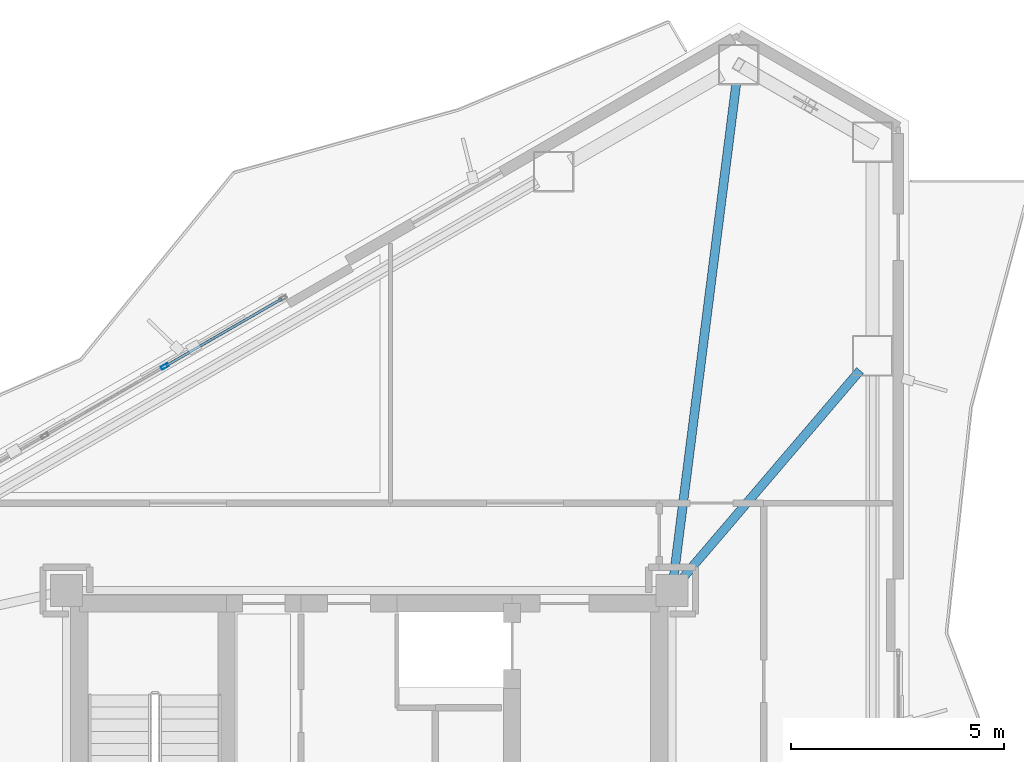
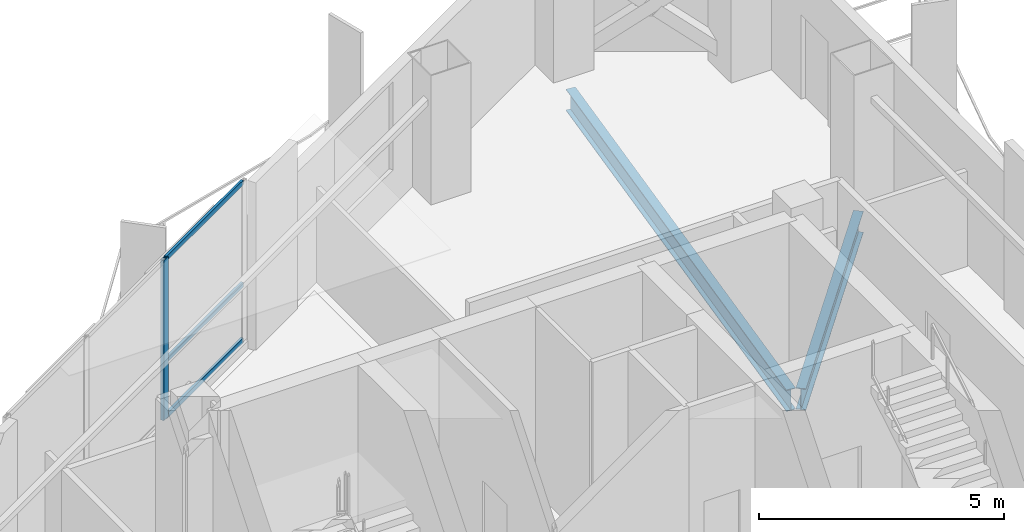
# One storey, part 8 of 18: 4 members, 2 beams, 1 element without a shape of its own.
"""IFC4 building model written with IfcOpenShell, lengths in metres."""

from ifc_helpers import new_model, si_unit, direction, frame, origin, origin_2d, place, context, subcontext, project, spatial, hollow_rectangle, i_section, extrude, material, layer, layer_set, material_profile, profile_set, type_object, element, aggregate, save


model = new_model("IFC4")

# Units and contexts
model_context = context("Model", 3, precision=1e-05, world=origin(), true_north=direction((0.0, 1.0)))
body_context = subcontext(model_context, "Body", "Model", "MODEL_VIEW")
ifc_project = project(units=[si_unit("LENGTHUNIT", "METRE"), si_unit("AREAUNIT", "SQUARE_METRE"), si_unit("VOLUMEUNIT", "CUBIC_METRE"), si_unit("PLANEANGLEUNIT", "RADIAN"), si_unit("MASSUNIT", "GRAM", prefix="KILO")], contexts=[model_context])

# Site, building, storey
site_placement = place(None, origin())
site = spatial("IfcSite", under=ifc_project, at=site_placement, CompositionType="ELEMENT")
building_placement = place(site_placement, origin())
building = spatial("IfcBuilding", under=site, at=building_placement, Name="Mersakhor Tower and Convention Hall", CompositionType="ELEMENT")
storey_placement = place(building_placement, frame((0.0, 0.0, 170.699951171875)))
storey = spatial("IfcBuildingStorey", under=building, at=storey_placement, Name="L47", CompositionType="ELEMENT", Elevation=170.699951171875)

# Beams
ifc_material_1 = material(Name="Steel S355", Category="steel")
ifc_material_profile_1 = material_profile(ifc_material_1, i_section(OverallWidth=0.2099609375, OverallDepth=0.53662109375, WebThickness=0.0107421875, FlangeThickness=0.017333984375, at=origin_2d()), Name="UB 533x210x101")
ifc_profile_set_1 = profile_set([ifc_material_profile_1], Name="Steel S355")
beam_type = type_object("IfcBeamType", Name="BM-FB-533", PredefinedType="BEAM", material=ifc_profile_set_1)
beam_1_placement = place(storey_placement, frame((36.14453125, 33.402099609375, -0.54833984375), z_axis=(0.125686986218, 0.992069947884, 0.0), x_axis=(-0.992069947884, 0.125686986218, 0.0)))
element("IfcBeam", 1, at=beam_1_placement, inside=storey, type_object=beam_type, Name="L47 Primary Floor Girder FG-2", PredefinedType="BEAM", context=body_context, shape_type="SweptSolid", body=[
    extrude(i_section(OverallWidth=0.2099609375, OverallDepth=0.53662109375, WebThickness=0.0107421875, FlangeThickness=0.017333984375, at=origin_2d()), origin(), (0.0, 0.0, 1.0), 11.61962890625),
])
beam_2_placement = place(storey_placement, frame((36.33056640625, 33.31982421875, -0.54833984375), z_axis=(0.649571348871, 0.760300639699, 0.0), x_axis=(-0.760300639699, 0.649571348871, 0.0)))
element("IfcBeam", 2, at=beam_2_placement, inside=storey, type_object=beam_type, Name="L47 Primary Floor Girder FG-3", PredefinedType="BEAM", context=body_context, shape_type="SweptSolid", body=[
    extrude(i_section(OverallWidth=0.2099609375, OverallDepth=0.53662109375, WebThickness=0.0107421875, FlangeThickness=0.017333984375, at=origin_2d()), origin(), (0.0, 0.0, 1.0), 6.431640625),
])

# Curtain wall, members
ifc_material_2 = material(Name="Dark solar low-E aluminium curtain wall", Category="aluminium")
ifc_layer = layer(ifc_material_2, 0.199951171875)
ifc_layer_set = layer_set([ifc_layer], Name="Dark solar low-E aluminium curtain wall")
curtain_wall_type = type_object("IfcCurtainWallType", Name="CW-SYS-05", PredefinedType="USERDEFINED", material=ifc_layer_set)
curtain_wall_placement = place(storey_placement, origin())
curtain_wall = element("IfcCurtainWall", 3, at=curtain_wall_placement, inside=storey, type_object=curtain_wall_type, Name="L47 Dark-Glass Curtain Wall F1-B2", ObjectType="CURTAIN WALL", PredefinedType="USERDEFINED")
ifc_material_3 = material(Name="Anodised aluminium EN AW-6063 T6", Category="aluminium")
ifc_material_profile_2 = material_profile(ifc_material_3, hollow_rectangle(XDim=0.080078125, YDim=0.179931640625, WallThickness=0.008056640625, at=origin_2d()), Name="RHS 180x80x8")
ifc_profile_set_2 = profile_set([ifc_material_profile_2], Name="Anodised aluminium EN AW-6063 T6")
member_type_1 = type_object("IfcMemberType", Name="CWM-180x80", PredefinedType="MULLION", material=ifc_profile_set_2)
member_1_placement = place(storey_placement, frame((24.204345703125, 38.303955078125, 0.199951171875), z_axis=(0.0, 0.0, 1.0), x_axis=(-0.499998484116, 0.866026278978, 0.0)))
member_1 = element("IfcMember", 4, at=member_1_placement, type_object=member_type_1, Name="CW-05 mullion 3", PredefinedType="MULLION", context=body_context, shape_type="SweptSolid", body=[
    extrude(hollow_rectangle(XDim=0.080078125, YDim=0.179931640625, WallThickness=0.008056640625, at=origin_2d()), origin(), (0.0, 0.0, 1.0), 3.989990234375),
])
ifc_material_4 = material(Name="Anodised aluminium EN AW-6063 T6", Category="aluminium")
ifc_material_profile_3 = material_profile(ifc_material_4, hollow_rectangle(XDim=0.06005859375, YDim=0.1201171875, WallThickness=0.0048828125, at=origin_2d()), Name="RHS 120x60x5")
ifc_profile_set_3 = profile_set([ifc_material_profile_3], Name="Anodised aluminium EN AW-6063 T6")
member_type_2 = type_object("IfcMemberType", Name="CWT-120x60", PredefinedType="USERDEFINED", material=ifc_profile_set_3)
member_2_placement = place(storey_placement, frame((24.239013671875, 38.323974609375, 0.22998046875), z_axis=(0.866029591389, 0.499992746786, 0.0), x_axis=(-0.499992746786, 0.866029591389, 0.0)))
member_2 = element("IfcMember", 5, at=member_2_placement, type_object=member_type_2, Name="CW-05 transom 3.1", ObjectType="TRANSOM", PredefinedType="USERDEFINED", context=body_context, shape_type="SweptSolid", body=[
    extrude(hollow_rectangle(XDim=0.06005859375, YDim=0.1201171875, WallThickness=0.0048828125, at=origin_2d()), origin(), (0.0, 0.0, 1.0), 3.12744140625),
])
member_3_placement = place(storey_placement, frame((24.239013671875, 38.323974609375, 1.6201171875), z_axis=(0.866029591389, 0.499992746786, 0.0), x_axis=(-0.499992746786, 0.866029591389, 0.0)))
member_3 = element("IfcMember", 6, at=member_3_placement, type_object=member_type_2, Name="CW-05 transom 3.2", ObjectType="TRANSOM", PredefinedType="USERDEFINED", context=body_context, shape_type="SweptSolid", body=[
    extrude(hollow_rectangle(XDim=0.06005859375, YDim=0.1201171875, WallThickness=0.0048828125, at=origin_2d()), origin(), (0.0, 0.0, 1.0), 3.12744140625),
])
member_4_placement = place(storey_placement, frame((24.239013671875, 38.323974609375, 4.16015625), z_axis=(0.866029591389, 0.499992746786, 0.0), x_axis=(-0.499992746786, 0.866029591389, 0.0)))
member_4 = element("IfcMember", 7, at=member_4_placement, type_object=member_type_2, Name="CW-05 transom 3.3", ObjectType="TRANSOM", PredefinedType="USERDEFINED", context=body_context, shape_type="SweptSolid", body=[
    extrude(hollow_rectangle(XDim=0.06005859375, YDim=0.1201171875, WallThickness=0.0048828125, at=origin_2d()), origin(), (0.0, 0.0, 1.0), 3.12744140625),
])
aggregate(curtain_wall, [member_1, member_2, member_3, member_4])

save(model, "model.ifc")
